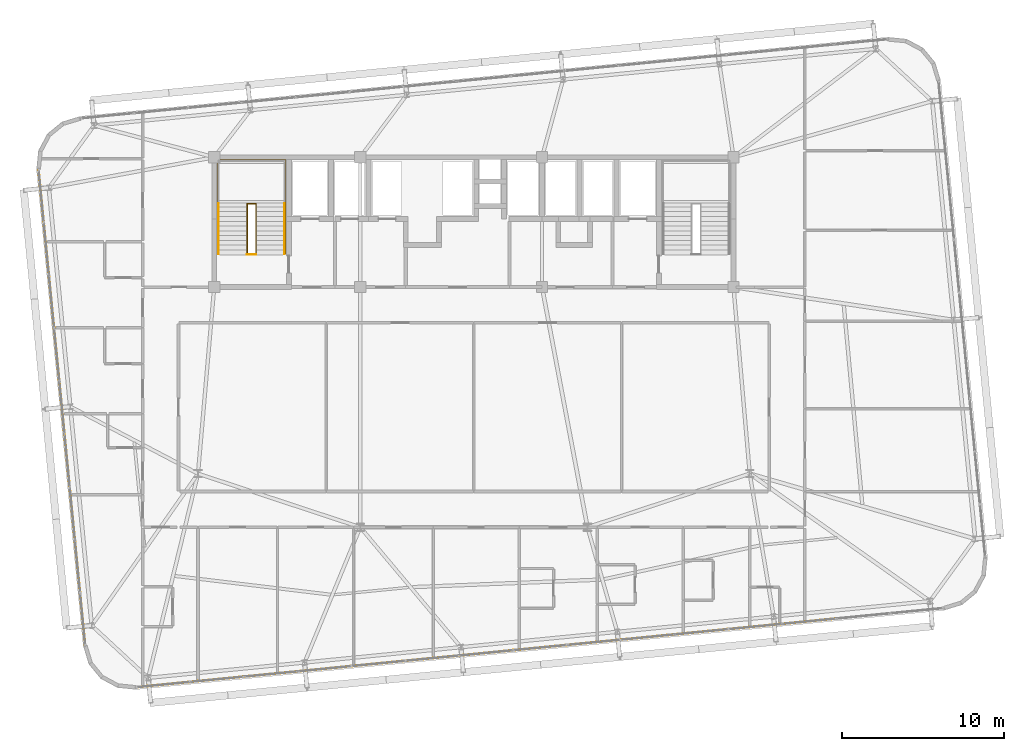
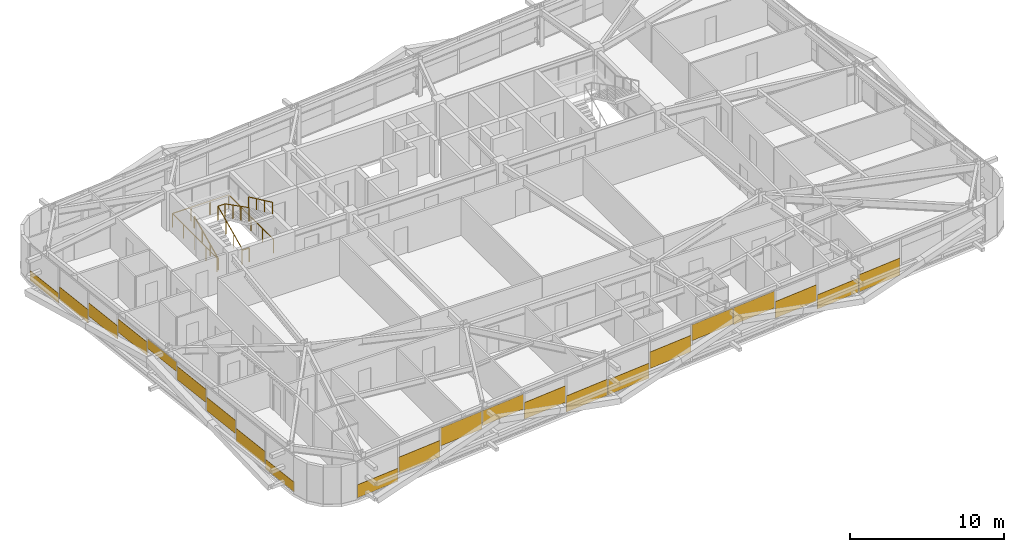
# One storey, part 51 of 53: 22 coverings, 5 railings.
"""IFC4 building model written with IfcOpenShell, lengths in metres."""

from ifc_helpers import new_model, si_unit, direction, frame, origin, origin_2d, place, context, subcontext, project, spatial, rectangle, extrude, source, transform, mapped, material, layer, layer_set, type_object, element, save


model = new_model("IFC4")

# Units and contexts
model_context = context("Model", 3, precision=1e-05, world=origin(), true_north=direction((0.0, 1.0)))
body_context = subcontext(model_context, "Body", "Model", "MODEL_VIEW")
ifc_project = project(units=[si_unit("LENGTHUNIT", "METRE"), si_unit("AREAUNIT", "SQUARE_METRE"), si_unit("VOLUMEUNIT", "CUBIC_METRE"), si_unit("PLANEANGLEUNIT", "RADIAN"), si_unit("MASSUNIT", "GRAM", prefix="KILO")], contexts=[model_context])

# Site, building, storey
site_placement = place(None, origin())
site = spatial("IfcSite", under=ifc_project, at=site_placement, CompositionType="ELEMENT")
building_placement = place(site_placement, origin())
building = spatial("IfcBuilding", under=site, at=building_placement, Name="Taldren Reach Tower", CompositionType="ELEMENT")
storey_placement = place(building_placement, frame((0.0, 0.0, 68.25)))
storey = spatial("IfcBuildingStorey", under=building, at=storey_placement, Name="L20", CompositionType="ELEMENT", Elevation=68.25)

# Railings
ifc_material_1 = material(Name="Steel Gr 350 (C350L0)", Category="steel")
ifc_layer_1 = layer(ifc_material_1, 0.050048828125)
ifc_layer_set_1 = layer_set([ifc_layer_1], Name="Steel Gr 350 (C350L0)")
railing_type_1 = type_object("IfcRailingType", Name="RL-STAIR-GR", PredefinedType="GUARDRAIL", material=ifc_layer_set_1)
railing_1_placement = place(storey_placement, frame((21.030029296875, 26.050048828125, 0.131103515625)))
element("IfcRailing", 1, at=railing_1_placement, inside=storey, type_object=railing_type_1, Name="Stairwell inner guard ST1-L20", PredefinedType="GUARDRAIL", context=body_context, shape_type="SweptSolid", body=[
    extrude(rectangle(XDim=0.047852, YDim=0.047852, at=origin_2d()), frame((0.0, 0.0, 1.09619140625), z_axis=(0.0, 0.905710134349, 0.423897573167), x_axis=(-1.0, 0.0, 0.0)), (0.0, 0.0, 1.0), 3.406005859375),
    extrude(rectangle(XDim=0.047852, YDim=0.047852, at=origin_2d()), frame((0.0, 3.0849609375, 2.5400390625), z_axis=(1.0, 0.0, 0.0), x_axis=(0.0, 1.0, 0.0)), (0.0, 0.0, 1.0), 0.5400390625),
    extrude(rectangle(XDim=0.047852, YDim=0.047852, at=origin_2d()), frame((0.5400390625, 3.0849609375, 2.5400390625), z_axis=(0.0, -0.890645957773, 0.45469745755), x_axis=(1.0, 0.0, 0.0)), (0.0, 0.0, 1.0), 3.463623046875),
    extrude(rectangle(XDim=0.041992, YDim=0.041992, at=origin_2d()), origin(), (0.0, 0.0, 1.0), 1.072021484375),
    extrude(rectangle(XDim=0.041992, YDim=0.041992, at=origin_2d()), frame((0.0, 1.0283203125, 0.481201171875)), (0.0, 0.0, 1.0), 1.072021484375),
    extrude(rectangle(XDim=0.041992, YDim=0.041992, at=origin_2d()), frame((0.0, 2.056640625, 0.962646484375)), (0.0, 0.0, 1.0), 1.072021484375),
    extrude(rectangle(XDim=0.041992, YDim=0.041992, at=origin_2d()), frame((0.0, 3.0849609375, 1.44384765625)), (0.0, 0.0, 1.0), 1.072021484375),
    extrude(rectangle(XDim=0.041992, YDim=0.041992, at=origin_2d()), frame((0.5400390625, 3.0849609375, 1.44384765625)), (0.0, 0.0, 1.0), 1.072021484375),
    extrude(rectangle(XDim=0.041992, YDim=0.041992, at=origin_2d()), frame((0.5400390625, 2.056640625, 1.96875)), (0.0, 0.0, 1.0), 1.072021484375),
    extrude(rectangle(XDim=0.041992, YDim=0.041992, at=origin_2d()), frame((0.5400390625, 1.0283203125, 2.493896484375)), (0.0, 0.0, 1.0), 1.072021484375),
    extrude(rectangle(XDim=0.041992, YDim=0.041992, at=origin_2d()), frame((0.5400390625, 0.0, 3.018798828125)), (0.0, 0.0, 1.0), 1.072021484375),
])
railing_2_placement = place(storey_placement, frame((21.030029296875, 26.010009765625, 0.0)))
element("IfcRailing", 2, at=railing_2_placement, inside=storey, type_object=railing_type_1, Name="Stairwell landing slot guard ST1-L20", PredefinedType="GUARDRAIL", context=body_context, shape_type="SweptSolid", body=[
    extrude(rectangle(XDim=0.047852, YDim=0.047852, at=origin_2d()), frame((0.0, 0.0, 1.09619140625), z_axis=(1.0, 0.0, 0.0), x_axis=(0.0, 1.0, 0.0)), (0.0, 0.0, 1.0), 0.5400390625),
    extrude(rectangle(XDim=0.041992, YDim=0.041992, at=origin_2d()), origin(), (0.0, 0.0, 1.0), 1.072021484375),
    extrude(rectangle(XDim=0.041992, YDim=0.041992, at=origin_2d()), frame((0.5400390625, 0.0, 0.0)), (0.0, 0.0, 1.0), 1.072021484375),
])
railing_3_placement = place(storey_placement, frame((19.18994140625, 26.050048828125, 0.0)))
element("IfcRailing", 3, at=railing_3_placement, inside=storey, type_object=railing_type_1, Name="Stairwell floor opening guard ST1-L20", PredefinedType="GUARDRAIL", context=body_context, shape_type="SweptSolid", body=[
    extrude(rectangle(XDim=0.047852, YDim=0.047852, at=origin_2d()), frame((0.0, 0.0, 1.09619140625), z_axis=(0.0, 1.0, 0.0), x_axis=(-1.0, 0.0, 0.0)), (0.0, 0.0, 1.0), 5.800048828125),
    extrude(rectangle(XDim=0.047852, YDim=0.047852, at=origin_2d()), frame((0.0, 5.800048828125, 1.09619140625), z_axis=(1.0, 0.0, 0.0), x_axis=(0.0, 1.0, 0.0)), (0.0, 0.0, 1.0), 4.219970703125),
    extrude(rectangle(XDim=0.047852, YDim=0.047852, at=origin_2d()), frame((4.219970703125, 5.800048828125, 1.09619140625), z_axis=(0.0, -1.0, 0.0), x_axis=(1.0, 0.0, 0.0)), (0.0, 0.0, 1.0), 5.800048828125),
    extrude(rectangle(XDim=0.041992, YDim=0.041992, at=origin_2d()), origin(), (0.0, 0.0, 1.0), 1.072021484375),
    extrude(rectangle(XDim=0.041992, YDim=0.041992, at=origin_2d()), frame((0.0, 1.449951171875, 0.0)), (0.0, 0.0, 1.0), 1.072021484375),
    extrude(rectangle(XDim=0.041992, YDim=0.041992, at=origin_2d()), frame((0.0, 2.89990234375, 0.0)), (0.0, 0.0, 1.0), 1.072021484375),
    extrude(rectangle(XDim=0.041992, YDim=0.041992, at=origin_2d()), frame((0.0, 4.35009765625, 0.0)), (0.0, 0.0, 1.0), 1.072021484375),
    extrude(rectangle(XDim=0.041992, YDim=0.041992, at=origin_2d()), frame((0.0, 5.800048828125, 0.0)), (0.0, 0.0, 1.0), 1.072021484375),
    extrude(rectangle(XDim=0.041992, YDim=0.041992, at=origin_2d()), frame((1.40673828125, 5.800048828125, 0.0)), (0.0, 0.0, 1.0), 1.072021484375),
    extrude(rectangle(XDim=0.041992, YDim=0.041992, at=origin_2d()), frame((2.813232421875, 5.800048828125, 0.0)), (0.0, 0.0, 1.0), 1.072021484375),
    extrude(rectangle(XDim=0.041992, YDim=0.041992, at=origin_2d()), frame((4.219970703125, 5.800048828125, 0.0)), (0.0, 0.0, 1.0), 1.072021484375),
    extrude(rectangle(XDim=0.041992, YDim=0.041992, at=origin_2d()), frame((4.219970703125, 4.35009765625, 0.0)), (0.0, 0.0, 1.0), 1.072021484375),
    extrude(rectangle(XDim=0.041992, YDim=0.041992, at=origin_2d()), frame((4.219970703125, 2.89990234375, 0.0)), (0.0, 0.0, 1.0), 1.072021484375),
    extrude(rectangle(XDim=0.041992, YDim=0.041992, at=origin_2d()), frame((4.219970703125, 1.449951171875, 0.0)), (0.0, 0.0, 1.0), 1.072021484375),
    extrude(rectangle(XDim=0.041992, YDim=0.041992, at=origin_2d()), frame((4.219970703125, 0.0, 0.0)), (0.0, 0.0, 1.0), 1.072021484375),
])
ifc_material_2 = material(Name="Stainless Steel Gr 316", Category="steel")
ifc_layer_2 = layer(ifc_material_2, 0.048095703125)
ifc_layer_set_2 = layer_set([ifc_layer_2], Name="Stainless Steel Gr 316")
railing_type_2 = type_object("IfcRailingType", Name="RL-STAIR-HR", PredefinedType="HANDRAIL", material=ifc_layer_set_2)
railing_4_placement = place(storey_placement, frame((19.27001953125, 26.050048828125, 0.131103515625)))
element("IfcRailing", 4, at=railing_4_placement, inside=storey, type_object=railing_type_2, Name="Stair flight handrail ST1-L20-1", PredefinedType="HANDRAIL", context=body_context, shape_type="SweptSolid", body=[
    extrude(rectangle(XDim=0.047852, YDim=0.047852, at=origin_2d()), frame((0.0, 0.0, 0.89599609375), z_axis=(0.0, 0.905710134349, 0.423897573167), x_axis=(-1.0, 0.0, 0.0)), (0.0, 0.0, 1.0), 3.406005859375),
    extrude(rectangle(XDim=0.041992, YDim=0.041992, at=origin_2d()), origin(), (0.0, 0.0, 1.0), 0.871826171875),
    extrude(rectangle(XDim=0.041992, YDim=0.041992, at=origin_2d()), frame((0.0, 1.0283203125, 0.481201171875)), (0.0, 0.0, 1.0), 0.871826171875),
    extrude(rectangle(XDim=0.041992, YDim=0.041992, at=origin_2d()), frame((0.0, 2.056640625, 0.962646484375)), (0.0, 0.0, 1.0), 0.871826171875),
    extrude(rectangle(XDim=0.041992, YDim=0.041992, at=origin_2d()), frame((0.0, 3.0849609375, 1.44384765625)), (0.0, 0.0, 1.0), 0.871826171875),
])
railing_5_placement = place(storey_placement, frame((23.330078125, 29.135009765625, 1.706298828125)))
element("IfcRailing", 5, at=railing_5_placement, inside=storey, type_object=railing_type_2, Name="Stair flight handrail ST1-L20-2", PredefinedType="HANDRAIL", context=body_context, shape_type="SweptSolid", body=[
    extrude(rectangle(XDim=0.047852, YDim=0.047852, at=origin_2d()), frame((0.0, 0.0, 0.89599609375), z_axis=(0.0, -0.905737652094, 0.423838773095), x_axis=(1.0, 0.0, 0.0)), (0.0, 0.0, 1.0), 3.406005859375),
    extrude(rectangle(XDim=0.041992, YDim=0.041992, at=origin_2d()), origin(), (0.0, 0.0, 1.0), 0.871826171875),
    extrude(rectangle(XDim=0.041992, YDim=0.041992, at=origin_2d()), frame((0.0, -1.0283203125, 0.481201171875)), (0.0, 0.0, 1.0), 0.871826171875),
    extrude(rectangle(XDim=0.041992, YDim=0.041992, at=origin_2d()), frame((0.0, -2.056640625, 0.96240234375)), (0.0, 0.0, 1.0), 0.871826171875),
    extrude(rectangle(XDim=0.041992, YDim=0.041992, at=origin_2d()), frame((0.0, -3.0849609375, 1.443603515625)), (0.0, 0.0, 1.0), 0.871826171875),
])

# Coverings
ifc_material_3 = material(Name="Pale Champagne Fluoropolymer Aluminium Spandrel Cladding", Category="aluminium")
ifc_layer_3 = layer(ifc_material_3, 0.0439453125)
ifc_layer_set_3 = layer_set([ifc_layer_3], Name="Pale Champagne Fluoropolymer Aluminium Spandrel Cladding")
covering_type = type_object("IfcCoveringType", Name="CV-CLAD-044", PredefinedType="CLADDING", material=ifc_layer_set_3)
shared_shape_1 = source(origin(), body_context, "Body", "SweptSolid", [
    extrude(rectangle(XDim=3.268310546875, YDim=0.0439453125, at=origin_2d()), origin(), (0.0, 0.0, 1.0), 1.3046875),
])
for number, where, z_axis, x_axis, name in (
    (6, (19.163818359375, -0.177734375, 0.6220703125), (0.0, 0.0, 1.0), (0.995227390247, 0.097582999046, 0.0), "Diagrid closure cladding strip CW-3 panel 2.1 1"),
    (7, (29.1162109375, 0.798095703125, 0.863037109375), (0.0, 0.0, 1.0), (0.995227390247, 0.097582999046, 0.0), "Diagrid closure cladding strip CW-3 panel 5.1 1"),
    (8, (39.068359375, 1.77392578125, 0.78271484375), (0.0, 0.0, 1.0), (0.995227390247, 0.097582999046, 0.0), "Diagrid closure cladding strip CW-3 panel 8.1 1"),
    (9, (49.020751953125, 2.749755859375, 0.702392578125), (0.0, 0.0, 1.0), (0.995227390247, 0.097582999046, 0.0), "Diagrid closure cladding strip CW-3 panel 11.1 1"),
):
    element("IfcCovering", number, at=place(storey_placement, frame(where, z_axis=z_axis, x_axis=x_axis)), inside=storey, type_object=covering_type, Name=name, PredefinedType="CLADDING", context=body_context, shape_type="MappedRepresentation", body=[
        mapped(shared_shape_1, transform((0.0, 0.0, 0.0), scale=1.0)),
    ])
shared_shape_2 = source(origin(), body_context, "Body", "SweptSolid", [
    extrude(rectangle(XDim=3.268310546875, YDim=0.0439453125, at=origin_2d()), origin(), (0.0, 0.0, 1.0), 1.356201171875),
])
covering_1_placement = place(storey_placement, frame((55.655517578125, 3.400390625, 0.05517578125), z_axis=(0.0, 0.0, 1.0), x_axis=(0.995227390247, 0.097582999046, 0.0)))
element("IfcCovering", 10, at=covering_1_placement, inside=storey, type_object=covering_type, Name="Diagrid closure cladding strip CW-3 panel 13.1 1", PredefinedType="CLADDING", context=body_context, shape_type="MappedRepresentation", body=[
    mapped(shared_shape_2, transform((0.0, 0.0, 0.0), scale=1.0)),
])
shared_shape_3 = source(origin(), body_context, "Body", "SweptSolid", [
    extrude(rectangle(XDim=3.268310546875, YDim=0.0439453125, at=origin_2d()), origin(), (0.0, 0.0, 1.0), 1.115234375),
])
covering_2_placement = place(storey_placement, frame((52.338134765625, 3.0751953125, 0.054931640625), z_axis=(0.0, 0.0, 1.0), x_axis=(0.995227390247, 0.097582999046, 0.0)))
element("IfcCovering", 11, at=covering_2_placement, inside=storey, type_object=covering_type, Name="Diagrid closure cladding strip CW-3 panel 12.1 1", PredefinedType="CLADDING", context=body_context, shape_type="MappedRepresentation", body=[
    mapped(shared_shape_3, transform((0.0, 0.0, 0.0), scale=1.0)),
])
shared_shape_4 = source(origin(), body_context, "Body", "SweptSolid", [
    extrude(rectangle(XDim=3.268310546875, YDim=0.0439453125, at=origin_2d()), origin(), (0.0, 0.0, 1.0), 1.3359375),
])
covering_3_placement = place(storey_placement, frame((45.703369140625, 2.424560546875, 1.5390625), z_axis=(0.0, 0.0, 1.0), x_axis=(0.995227390247, 0.097582999046, 0.0)))
element("IfcCovering", 12, at=covering_3_placement, inside=storey, type_object=covering_type, Name="Diagrid closure cladding strip CW-3 panel 10.1 1", PredefinedType="CLADDING", context=body_context, shape_type="MappedRepresentation", body=[
    mapped(shared_shape_4, transform((0.0, 0.0, 0.0), scale=1.0)),
])
shared_shape_5 = source(origin(), body_context, "Body", "SweptSolid", [
    extrude(rectangle(XDim=3.268310546875, YDim=0.0439453125, at=origin_2d()), origin(), (0.0, 0.0, 1.0), 1.255615234375),
])
covering_4_placement = place(storey_placement, frame((42.3857421875, 2.099365234375, 1.61962890625), z_axis=(0.0, 0.0, 1.0), x_axis=(0.995227390247, 0.097582999046, 0.0)))
element("IfcCovering", 13, at=covering_4_placement, inside=storey, type_object=covering_type, Name="Diagrid closure cladding strip CW-3 panel 9.1 1", PredefinedType="CLADDING", context=body_context, shape_type="MappedRepresentation", body=[
    mapped(shared_shape_5, transform((0.0, 0.0, 0.0), scale=1.0)),
])
shared_shape_6 = source(origin(), body_context, "Body", "SweptSolid", [
    extrude(rectangle(XDim=3.268310546875, YDim=0.0439453125, at=origin_2d()), origin(), (0.0, 0.0, 1.0), 1.195556640625),
])
covering_5_placement = place(storey_placement, frame((35.7509765625, 1.44873046875, 0.05517578125), z_axis=(0.0, 0.0, 1.0), x_axis=(0.995227390247, 0.097582999046, 0.0)))
element("IfcCovering", 14, at=covering_5_placement, inside=storey, type_object=covering_type, Name="Diagrid closure cladding strip CW-3 panel 7.1 1", PredefinedType="CLADDING", context=body_context, shape_type="MappedRepresentation", body=[
    mapped(shared_shape_6, transform((0.0, 0.0, 0.0), scale=1.0)),
])
shared_shape_7 = source(origin(), body_context, "Body", "SweptSolid", [
    extrude(rectangle(XDim=3.268310546875, YDim=0.0439453125, at=origin_2d()), origin(), (0.0, 0.0, 1.0), 1.27587890625),
])
covering_6_placement = place(storey_placement, frame((32.43359375, 1.12353515625, 0.054931640625), z_axis=(0.0, 0.0, 1.0), x_axis=(0.995227390247, 0.097582999046, 0.0)))
element("IfcCovering", 15, at=covering_6_placement, inside=storey, type_object=covering_type, Name="Diagrid closure cladding strip CW-3 panel 6.1 1", PredefinedType="CLADDING", context=body_context, shape_type="MappedRepresentation", body=[
    mapped(shared_shape_7, transform((0.0, 0.0, 0.0), scale=1.0)),
])
shared_shape_8 = source(origin(), body_context, "Body", "SweptSolid", [
    extrude(rectangle(XDim=3.268310546875, YDim=0.0439453125, at=origin_2d()), origin(), (0.0, 0.0, 1.0), 1.17529296875),
])
covering_7_placement = place(storey_placement, frame((25.798828125, 0.472900390625, 1.69970703125), z_axis=(0.0, 0.0, 1.0), x_axis=(0.995227390247, 0.097582999046, 0.0)))
element("IfcCovering", 16, at=covering_7_placement, inside=storey, type_object=covering_type, Name="Diagrid closure cladding strip CW-3 panel 4.1 1", PredefinedType="CLADDING", context=body_context, shape_type="MappedRepresentation", body=[
    mapped(shared_shape_8, transform((0.0, 0.0, 0.0), scale=1.0)),
])
shared_shape_9 = source(origin(), body_context, "Body", "SweptSolid", [
    extrude(rectangle(XDim=3.268310546875, YDim=0.0439453125, at=origin_2d()), origin(), (0.0, 0.0, 1.0), 1.416259765625),
])
covering_8_placement = place(storey_placement, frame((22.481201171875, 0.147705078125, 1.458984375), z_axis=(0.0, 0.0, 1.0), x_axis=(0.995227390247, 0.097582999046, 0.0)))
element("IfcCovering", 17, at=covering_8_placement, inside=storey, type_object=covering_type, Name="Diagrid closure cladding strip CW-3 panel 3.1 1", PredefinedType="CLADDING", context=body_context, shape_type="MappedRepresentation", body=[
    mapped(shared_shape_9, transform((0.0, 0.0, 0.0), scale=1.0)),
])
shared_shape_10 = source(origin(), body_context, "Body", "SweptSolid", [
    extrude(rectangle(XDim=3.23583984375, YDim=0.0439453125, at=origin_2d()), origin(), (0.0, 0.0, 1.0), 1.034912109375),
])
covering_9_placement = place(storey_placement, frame((15.862548828125, -0.501220703125, 0.05517578125), z_axis=(0.0, 0.0, 1.0), x_axis=(0.995227390247, 0.097582999046, 0.0)))
element("IfcCovering", 18, at=covering_9_placement, inside=storey, type_object=covering_type, Name="Diagrid closure cladding strip CW-3 panel 1.1 1", PredefinedType="CLADDING", context=body_context, shape_type="MappedRepresentation", body=[
    mapped(shared_shape_10, transform((0.0, 0.0, 0.0), scale=1.0)),
])
shared_shape_11 = source(origin(), body_context, "Body", "SweptSolid", [
    extrude(rectangle(XDim=3.212890625, YDim=0.0439453125, at=origin_2d()), origin(), (0.0, 0.0, 1.0), 1.053466796875),
])
for number, where, z_axis, x_axis, name in (
    (19, (8.663330078125, 26.36767578125, 0.35986328125), (0.0, 0.0, 1.0), (0.09758274098, -0.99522741555, 0.0), "Diagrid closure cladding strip CW-3 panel 2.1 1"),
    (20, (8.983154296875, 23.105712890625, 0.94775390625), (0.0, 0.0, 1.0), (0.09758274098, -0.99522741555, 0.0), "Diagrid closure cladding strip CW-3 panel 3.1 1"),
    (21, (9.30322265625, 19.843505859375, 1.53564453125), (0.0, 0.0, 1.0), (0.09758274098, -0.99522741555, 0.0), "Diagrid closure cladding strip CW-3 panel 4.1 1"),
    (22, (9.94287109375, 13.319091796875, 1.53564453125), (0.0, 0.0, 1.0), (0.09758274098, -0.99522741555, 0.0), "Diagrid closure cladding strip CW-3 panel 6.1 1"),
    (23, (10.2626953125, 10.05712890625, 0.94775390625), (0.0, 0.0, 1.0), (0.09758274098, -0.99522741555, 0.0), "Diagrid closure cladding strip CW-3 panel 7.1 1"),
    (24, (10.58251953125, 6.794921875, 0.35986328125), (0.0, 0.0, 1.0), (0.09758274098, -0.99522741555, 0.0), "Diagrid closure cladding strip CW-3 panel 8.1 1"),
):
    element("IfcCovering", number, at=place(storey_placement, frame(where, z_axis=z_axis, x_axis=x_axis)), inside=storey, type_object=covering_type, Name=name, PredefinedType="CLADDING", context=body_context, shape_type="MappedRepresentation", body=[
        mapped(shared_shape_11, transform((0.0, 0.0, 0.0), scale=1.0)),
    ])
shared_shape_12 = source(origin(), body_context, "Body", "SweptSolid", [
    extrude(rectangle(XDim=3.18017578125, YDim=0.0439453125, at=origin_2d()), origin(), (0.0, 0.0, 1.0), 0.7705078125),
])
for number, where, z_axis, x_axis, name in (
    (25, (8.34521484375, 29.61376953125, 0.054931640625), (0.0, 0.0, 1.0), (0.09758274098, -0.99522741555, 0.0), "Diagrid closure cladding strip CW-3 panel 1.1 1"),
    (26, (10.90087890625, 3.549072265625, 0.054931640625), (0.0, 0.0, 1.0), (0.09758274098, -0.99522741555, 0.0), "Diagrid closure cladding strip CW-3 panel 9.1 1"),
):
    element("IfcCovering", number, at=place(storey_placement, frame(where, z_axis=z_axis, x_axis=x_axis)), inside=storey, type_object=covering_type, Name=name, PredefinedType="CLADDING", context=body_context, shape_type="MappedRepresentation", body=[
        mapped(shared_shape_12, transform((0.0, 0.0, 0.0), scale=1.0)),
    ])
shared_shape_13 = source(origin(), body_context, "Body", "SweptSolid", [
    extrude(rectangle(XDim=3.212890625, YDim=0.0439453125, at=origin_2d()), origin(), (0.0, 0.0, 1.0), 0.751708984375),
])
covering_10_placement = place(storey_placement, frame((9.623046875, 16.581298828125, 2.123046875), z_axis=(0.0, 0.0, 1.0), x_axis=(0.09758274098, -0.99522741555, 0.0)))
element("IfcCovering", 27, at=covering_10_placement, inside=storey, type_object=covering_type, Name="Diagrid closure cladding strip CW-3 panel 5.1 1", PredefinedType="CLADDING", context=body_context, shape_type="MappedRepresentation", body=[
    mapped(shared_shape_13, transform((0.0, 0.0, 0.0), scale=1.0)),
])

save(model, "model.ifc")
